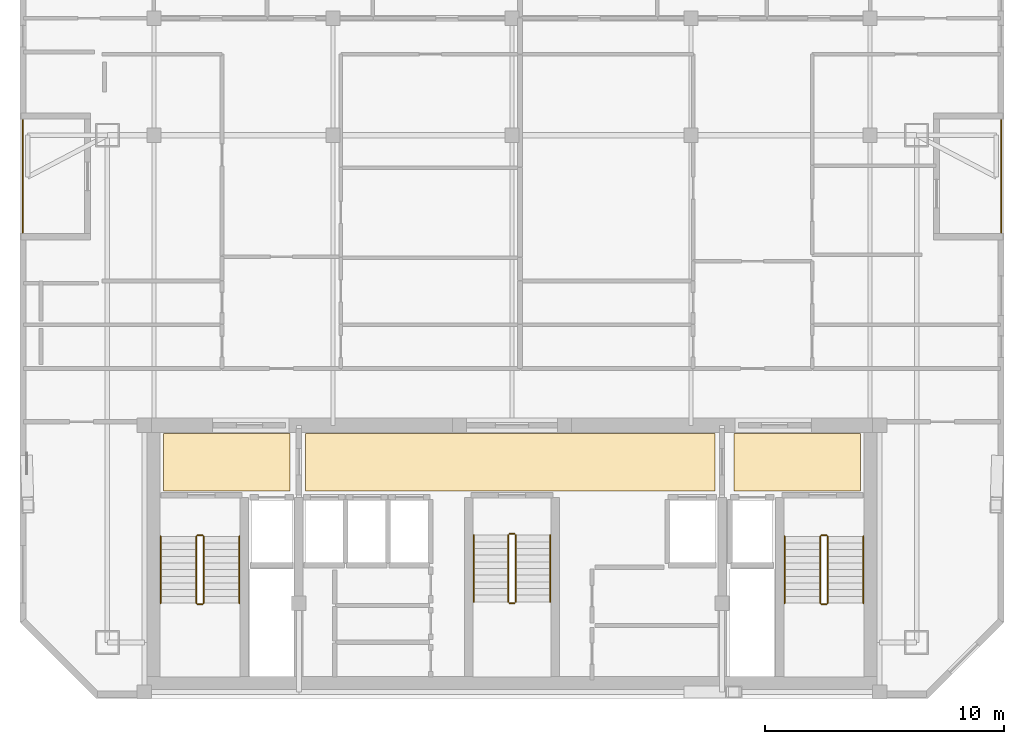
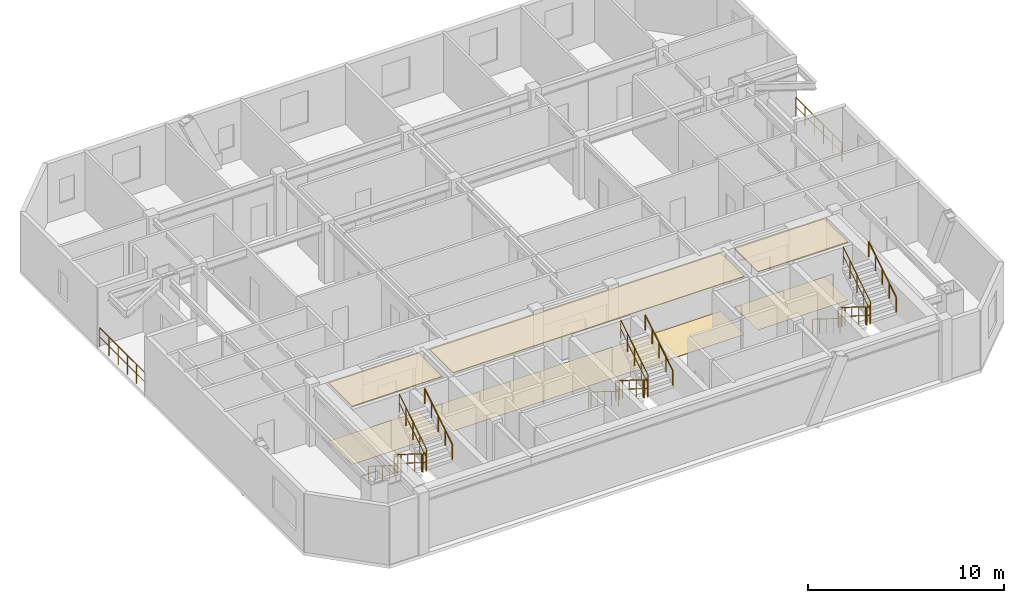
# One storey, part 7 of 7: 20 railings, 6 coverings.
"""IFC4 building model written with IfcOpenShell, lengths in metres."""

from ifc_helpers import new_model, si_unit, direction, frame, origin, origin_2d, place, context, subcontext, project, spatial, polyline, circle, outline, extrude, material, layer, layer_set, type_object, element, save


model = new_model("IFC4")

# Units and contexts
model_context = context("Model", 3, precision=1e-05, world=origin(), true_north=direction((0.0, 1.0)))
body_context = subcontext(model_context, "Body", "Model", "MODEL_VIEW")
ifc_project = project(units=[si_unit("LENGTHUNIT", "METRE"), si_unit("AREAUNIT", "SQUARE_METRE"), si_unit("VOLUMEUNIT", "CUBIC_METRE"), si_unit("PLANEANGLEUNIT", "RADIAN"), si_unit("MASSUNIT", "GRAM", prefix="KILO")], contexts=[model_context])

# Site, building, storey
site_placement = place(None, origin())
site = spatial("IfcSite", under=ifc_project, at=site_placement, CompositionType="ELEMENT")
building_placement = place(site_placement, origin())
building = spatial("IfcBuilding", under=site, at=building_placement, Name="Ventersveld Concourse Tower", CompositionType="ELEMENT")
storey_placement = place(building_placement, frame((0.0, 0.0, 268.300048828125)))
storey = spatial("IfcBuildingStorey", under=building, at=storey_placement, Name="L66", CompositionType="ELEMENT", Elevation=268.300048828125)

# Coverings
ifc_material_1 = material(Name="Mineral-fibre acoustic ceiling tile", Category="gypsum")
ifc_layer_1 = layer(ifc_material_1, 0.0400390625)
ifc_layer_set_1 = layer_set([ifc_layer_1], Name="Mineral-fibre acoustic ceiling tile")
covering_type_1 = type_object("IfcCoveringType", Name="COV-CEIL-ACOUSTIC", PredefinedType="CEILING", material=ifc_layer_set_1)
covering_1_placement = place(storey_placement, frame((0.0, 0.0, 3.60986328125)))
element("IfcCovering", 1, at=covering_1_placement, inside=storey, type_object=covering_type_1, Name="L66 North Lift Lobby Acoustic Ceiling", PredefinedType="CEILING", context=body_context, shape_type="SweptSolid", body=[
    extrude(outline(polyline([(20.10009765625, 8.699951171875), (37.25, 8.699951171875), (37.25, 11.10009765625), (20.10009765625, 11.10009765625), (20.10009765625, 8.699951171875)])), origin(), (0.0, 0.0, 1.0), 0.0400390625),
])
covering_2_placement = place(storey_placement, frame((0.0, 0.0, 3.60986328125)))
element("IfcCovering", 2, at=covering_2_placement, inside=storey, type_object=covering_type_1, Name="L66 West Firefighting Lobby Acoustic Ceiling", PredefinedType="CEILING", context=body_context, shape_type="SweptSolid", body=[
    extrude(outline(polyline([(14.14990234375, 8.699951171875), (19.449951171875, 8.699951171875), (19.449951171875, 11.10009765625), (14.14990234375, 11.10009765625), (14.14990234375, 8.699951171875)])), origin(), (0.0, 0.0, 1.0), 0.0400390625),
])
covering_3_placement = place(storey_placement, frame((0.0, 0.0, 3.60986328125)))
element("IfcCovering", 3, at=covering_3_placement, inside=storey, type_object=covering_type_1, Name="L66 East Firefighting Lobby Acoustic Ceiling", PredefinedType="CEILING", context=body_context, shape_type="SweptSolid", body=[
    extrude(outline(polyline([(38.050048828125, 8.699951171875), (43.35009765625, 8.699951171875), (43.35009765625, 11.10009765625), (38.050048828125, 11.10009765625), (38.050048828125, 8.699951171875)])), origin(), (0.0, 0.0, 1.0), 0.0400390625),
])
ifc_material_2 = material(Name="Polished Highveld granite terrazzo", Category="masonry")
ifc_layer_2 = layer(ifc_material_2, 0.02001953125)
ifc_layer_set_2 = layer_set([ifc_layer_2], Name="Polished Highveld granite terrazzo")
covering_type_2 = type_object("IfcCoveringType", Name="COV-FLOOR-TERRAZZO", PredefinedType="FLOORING", material=ifc_layer_set_2)
covering_4_placement = place(storey_placement, origin())
element("IfcCovering", 4, at=covering_4_placement, inside=storey, type_object=covering_type_2, Name="L66 North Lift Lobby Terrazzo Flooring", PredefinedType="FLOORING", context=body_context, shape_type="SweptSolid", body=[
    extrude(outline(polyline([(20.10009765625, 8.699951171875), (37.25, 8.699951171875), (37.25, 11.10009765625), (20.10009765625, 11.10009765625), (20.10009765625, 8.699951171875)])), origin(), (0.0, 0.0, 1.0), 0.02001953125),
])
covering_5_placement = place(storey_placement, origin())
element("IfcCovering", 5, at=covering_5_placement, inside=storey, type_object=covering_type_2, Name="L66 West Firefighting Lobby Terrazzo Flooring", PredefinedType="FLOORING", context=body_context, shape_type="SweptSolid", body=[
    extrude(outline(polyline([(14.14990234375, 8.699951171875), (19.449951171875, 8.699951171875), (19.449951171875, 11.10009765625), (14.14990234375, 11.10009765625), (14.14990234375, 8.699951171875)])), origin(), (0.0, 0.0, 1.0), 0.02001953125),
])
covering_6_placement = place(storey_placement, origin())
element("IfcCovering", 6, at=covering_6_placement, inside=storey, type_object=covering_type_2, Name="L66 East Firefighting Lobby Terrazzo Flooring", PredefinedType="FLOORING", context=body_context, shape_type="SweptSolid", body=[
    extrude(outline(polyline([(38.050048828125, 8.699951171875), (43.35009765625, 8.699951171875), (43.35009765625, 11.10009765625), (38.050048828125, 11.10009765625), (38.050048828125, 8.699951171875)])), origin(), (0.0, 0.0, 1.0), 0.02001953125),
])

# Railings
ifc_material_3 = material(Name="Brushed stainless steel 316", Category="steel")
railing_type_1 = type_object("IfcRailingType", Name="GD-BAL-115", PredefinedType="GUARDRAIL", material=ifc_material_3)
railing_1_placement = place(storey_placement, frame((15.530029296875, 6.800048828125, 0.175048828125)))
element("IfcRailing", 7, at=railing_1_placement, inside=storey, type_object=railing_type_1, Name="L66 ST-01 stair guard 1", PredefinedType="GUARDRAIL", context=body_context, shape_type="SweptSolid", body=[
    extrude(circle(Radius=0.02392578125, at=origin_2d()), frame((0.0, 0.0, 1.1259765625), z_axis=(0.0, -0.848002457836, 0.529992293815), x_axis=(1.0, 0.0, 0.0)), (0.0, 0.0, 1.0), 3.302001953125),
    extrude(circle(Radius=0.01611328125, at=origin_2d()), frame((0.0, 0.0, 0.574951171875), z_axis=(0.0, -0.848002457836, 0.529992293815), x_axis=(1.0, 0.0, 0.0)), (0.0, 0.0, 1.0), 3.302001953125),
    extrude(circle(Radius=0.02099609375, at=origin_2d()), origin(), (0.0, 0.0, 1.0), 1.101806640625),
    extrude(circle(Radius=0.02099609375, at=origin_2d()), frame((0.0, -0.699951171875, 0.4375)), (0.0, 0.0, 1.0), 1.101806640625),
    extrude(circle(Radius=0.02099609375, at=origin_2d()), frame((0.0, -1.39990234375, 0.875)), (0.0, 0.0, 1.0), 1.101806640625),
    extrude(circle(Radius=0.02099609375, at=origin_2d()), frame((0.0, -2.10009765625, 1.3125)), (0.0, 0.0, 1.0), 1.101806640625),
    extrude(circle(Radius=0.02099609375, at=origin_2d()), frame((0.0, -2.800048828125, 1.75)), (0.0, 0.0, 1.0), 1.101806640625),
])
railing_2_placement = place(storey_placement, frame((15.580078125, 3.949951171875, 1.925048828125)))
element("IfcRailing", 8, at=railing_2_placement, inside=storey, type_object=railing_type_1, Name="L66 ST-01 stair guard 2", PredefinedType="GUARDRAIL", context=body_context, shape_type="SweptSolid", body=[
    extrude(circle(Radius=0.02392578125, at=origin_2d()), frame((0.0, 0.0, 1.1259765625), z_axis=(1.0, 0.0, 0.0), x_axis=(0.0, 1.0, 0.0)), (0.0, 0.0, 1.0), 0.199951171875),
    extrude(circle(Radius=0.01611328125, at=origin_2d()), frame((0.0, 0.0, 0.574951171875), z_axis=(1.0, 0.0, 0.0), x_axis=(0.0, 1.0, 0.0)), (0.0, 0.0, 1.0), 0.199951171875),
    extrude(circle(Radius=0.02099609375, at=origin_2d()), origin(), (0.0, 0.0, 1.0), 1.101806640625),
    extrude(circle(Radius=0.02099609375, at=origin_2d()), frame((0.199951171875, 0.0, 0.0)), (0.0, 0.0, 1.0), 1.101806640625),
])
railing_3_placement = place(storey_placement, frame((15.830078125, 4.0, 2.099853515625)))
element("IfcRailing", 9, at=railing_3_placement, inside=storey, type_object=railing_type_1, Name="L66 ST-01 stair guard 3", PredefinedType="GUARDRAIL", context=body_context, shape_type="SweptSolid", body=[
    extrude(circle(Radius=0.02392578125, at=origin_2d()), frame((0.0, 0.0, 1.1259765625), z_axis=(0.0, 0.848002457836, 0.529992293815), x_axis=(-1.0, 0.0, 0.0)), (0.0, 0.0, 1.0), 3.302001953125),
    extrude(circle(Radius=0.01611328125, at=origin_2d()), frame((0.0, 0.0, 0.574951171875), z_axis=(0.0, 0.848002457836, 0.529992293815), x_axis=(-1.0, 0.0, 0.0)), (0.0, 0.0, 1.0), 3.302001953125),
    extrude(circle(Radius=0.02099609375, at=origin_2d()), origin(), (0.0, 0.0, 1.0), 1.101806640625),
    extrude(circle(Radius=0.02099609375, at=origin_2d()), frame((0.0, 0.699951171875, 0.4375)), (0.0, 0.0, 1.0), 1.101806640625),
    extrude(circle(Radius=0.02099609375, at=origin_2d()), frame((0.0, 1.39990234375, 0.875)), (0.0, 0.0, 1.0), 1.101806640625),
    extrude(circle(Radius=0.02099609375, at=origin_2d()), frame((0.0, 2.10009765625, 1.3125)), (0.0, 0.0, 1.0), 1.101806640625),
    extrude(circle(Radius=0.02099609375, at=origin_2d()), frame((0.0, 2.800048828125, 1.75)), (0.0, 0.0, 1.0), 1.101806640625),
])
railing_4_placement = place(storey_placement, frame((15.580078125, 6.85009765625, 0.0)))
element("IfcRailing", 10, at=railing_4_placement, inside=storey, type_object=railing_type_1, Name="L66 ST-01 stair guard 4", PredefinedType="GUARDRAIL", context=body_context, shape_type="SweptSolid", body=[
    extrude(circle(Radius=0.02392578125, at=origin_2d()), frame((0.0, 0.0, 1.1259765625), z_axis=(1.0, 0.0, 0.0), x_axis=(0.0, 1.0, 0.0)), (0.0, 0.0, 1.0), 0.199951171875),
    extrude(circle(Radius=0.01611328125, at=origin_2d()), frame((0.0, 0.0, 0.574951171875), z_axis=(1.0, 0.0, 0.0), x_axis=(0.0, 1.0, 0.0)), (0.0, 0.0, 1.0), 0.199951171875),
    extrude(circle(Radius=0.02099609375, at=origin_2d()), origin(), (0.0, 0.0, 1.0), 1.101806640625),
    extrude(circle(Radius=0.02099609375, at=origin_2d()), frame((0.199951171875, 0.0, 0.0)), (0.0, 0.0, 1.0), 1.101806640625),
])
railing_5_placement = place(storey_placement, frame((41.669921875, 6.800048828125, 0.175048828125)))
element("IfcRailing", 11, at=railing_5_placement, inside=storey, type_object=railing_type_1, Name="L66 ST-02 stair guard 1", PredefinedType="GUARDRAIL", context=body_context, shape_type="SweptSolid", body=[
    extrude(circle(Radius=0.02392578125, at=origin_2d()), frame((0.0, 0.0, 1.1259765625), z_axis=(0.0, -0.848002457836, 0.529992293815), x_axis=(1.0, 0.0, 0.0)), (0.0, 0.0, 1.0), 3.302001953125),
    extrude(circle(Radius=0.01611328125, at=origin_2d()), frame((0.0, 0.0, 0.574951171875), z_axis=(0.0, -0.848002457836, 0.529992293815), x_axis=(1.0, 0.0, 0.0)), (0.0, 0.0, 1.0), 3.302001953125),
    extrude(circle(Radius=0.02099609375, at=origin_2d()), origin(), (0.0, 0.0, 1.0), 1.101806640625),
    extrude(circle(Radius=0.02099609375, at=origin_2d()), frame((0.0, -0.699951171875, 0.4375)), (0.0, 0.0, 1.0), 1.101806640625),
    extrude(circle(Radius=0.02099609375, at=origin_2d()), frame((0.0, -1.39990234375, 0.875)), (0.0, 0.0, 1.0), 1.101806640625),
    extrude(circle(Radius=0.02099609375, at=origin_2d()), frame((0.0, -2.10009765625, 1.3125)), (0.0, 0.0, 1.0), 1.101806640625),
    extrude(circle(Radius=0.02099609375, at=origin_2d()), frame((0.0, -2.800048828125, 1.75)), (0.0, 0.0, 1.0), 1.101806640625),
])
railing_6_placement = place(storey_placement, frame((41.719970703125, 3.949951171875, 1.925048828125)))
element("IfcRailing", 12, at=railing_6_placement, inside=storey, type_object=railing_type_1, Name="L66 ST-02 stair guard 2", PredefinedType="GUARDRAIL", context=body_context, shape_type="SweptSolid", body=[
    extrude(circle(Radius=0.02392578125, at=origin_2d()), frame((0.0, 0.0, 1.1259765625), z_axis=(1.0, 0.0, 0.0), x_axis=(0.0, 1.0, 0.0)), (0.0, 0.0, 1.0), 0.199951171875),
    extrude(circle(Radius=0.01611328125, at=origin_2d()), frame((0.0, 0.0, 0.574951171875), z_axis=(1.0, 0.0, 0.0), x_axis=(0.0, 1.0, 0.0)), (0.0, 0.0, 1.0), 0.199951171875),
    extrude(circle(Radius=0.02099609375, at=origin_2d()), origin(), (0.0, 0.0, 1.0), 1.101806640625),
    extrude(circle(Radius=0.02099609375, at=origin_2d()), frame((0.199951171875, 0.0, 0.0)), (0.0, 0.0, 1.0), 1.101806640625),
])
railing_7_placement = place(storey_placement, frame((41.969970703125, 4.0, 2.099853515625)))
element("IfcRailing", 13, at=railing_7_placement, inside=storey, type_object=railing_type_1, Name="L66 ST-02 stair guard 3", PredefinedType="GUARDRAIL", context=body_context, shape_type="SweptSolid", body=[
    extrude(circle(Radius=0.02392578125, at=origin_2d()), frame((0.0, 0.0, 1.1259765625), z_axis=(0.0, 0.848002457836, 0.529992293815), x_axis=(-1.0, 0.0, 0.0)), (0.0, 0.0, 1.0), 3.302001953125),
    extrude(circle(Radius=0.01611328125, at=origin_2d()), frame((0.0, 0.0, 0.574951171875), z_axis=(0.0, 0.848002457836, 0.529992293815), x_axis=(-1.0, 0.0, 0.0)), (0.0, 0.0, 1.0), 3.302001953125),
    extrude(circle(Radius=0.02099609375, at=origin_2d()), origin(), (0.0, 0.0, 1.0), 1.101806640625),
    extrude(circle(Radius=0.02099609375, at=origin_2d()), frame((0.0, 0.699951171875, 0.4375)), (0.0, 0.0, 1.0), 1.101806640625),
    extrude(circle(Radius=0.02099609375, at=origin_2d()), frame((0.0, 1.39990234375, 0.875)), (0.0, 0.0, 1.0), 1.101806640625),
    extrude(circle(Radius=0.02099609375, at=origin_2d()), frame((0.0, 2.10009765625, 1.3125)), (0.0, 0.0, 1.0), 1.101806640625),
    extrude(circle(Radius=0.02099609375, at=origin_2d()), frame((0.0, 2.800048828125, 1.75)), (0.0, 0.0, 1.0), 1.101806640625),
])
railing_8_placement = place(storey_placement, frame((41.719970703125, 6.85009765625, 0.0)))
element("IfcRailing", 14, at=railing_8_placement, inside=storey, type_object=railing_type_1, Name="L66 ST-02 stair guard 4", PredefinedType="GUARDRAIL", context=body_context, shape_type="SweptSolid", body=[
    extrude(circle(Radius=0.02392578125, at=origin_2d()), frame((0.0, 0.0, 1.1259765625), z_axis=(1.0, 0.0, 0.0), x_axis=(0.0, 1.0, 0.0)), (0.0, 0.0, 1.0), 0.199951171875),
    extrude(circle(Radius=0.01611328125, at=origin_2d()), frame((0.0, 0.0, 0.574951171875), z_axis=(1.0, 0.0, 0.0), x_axis=(0.0, 1.0, 0.0)), (0.0, 0.0, 1.0), 0.199951171875),
    extrude(circle(Radius=0.02099609375, at=origin_2d()), origin(), (0.0, 0.0, 1.0), 1.101806640625),
    extrude(circle(Radius=0.02099609375, at=origin_2d()), frame((0.199951171875, 0.0, 0.0)), (0.0, 0.0, 1.0), 1.101806640625),
])
railing_9_placement = place(storey_placement, frame((28.60009765625, 6.85009765625, 0.175048828125)))
element("IfcRailing", 15, at=railing_9_placement, inside=storey, type_object=railing_type_1, Name="L66 ST-03 stair guard 1", PredefinedType="GUARDRAIL", context=body_context, shape_type="SweptSolid", body=[
    extrude(circle(Radius=0.02392578125, at=origin_2d()), frame((0.0, 0.0, 1.1259765625), z_axis=(0.0, -0.848002457836, 0.529992293815), x_axis=(1.0, 0.0, 0.0)), (0.0, 0.0, 1.0), 3.302001953125),
    extrude(circle(Radius=0.01611328125, at=origin_2d()), frame((0.0, 0.0, 0.574951171875), z_axis=(0.0, -0.848002457836, 0.529992293815), x_axis=(1.0, 0.0, 0.0)), (0.0, 0.0, 1.0), 3.302001953125),
    extrude(circle(Radius=0.02099609375, at=origin_2d()), origin(), (0.0, 0.0, 1.0), 1.101806640625),
    extrude(circle(Radius=0.02099609375, at=origin_2d()), frame((0.0, -0.699951171875, 0.4375)), (0.0, 0.0, 1.0), 1.101806640625),
    extrude(circle(Radius=0.02099609375, at=origin_2d()), frame((0.0, -1.39990234375, 0.875)), (0.0, 0.0, 1.0), 1.101806640625),
    extrude(circle(Radius=0.02099609375, at=origin_2d()), frame((0.0, -2.10009765625, 1.3125)), (0.0, 0.0, 1.0), 1.101806640625),
    extrude(circle(Radius=0.02099609375, at=origin_2d()), frame((0.0, -2.800048828125, 1.75)), (0.0, 0.0, 1.0), 1.101806640625),
])
railing_10_placement = place(storey_placement, frame((28.64990234375, 4.0, 1.925048828125)))
element("IfcRailing", 16, at=railing_10_placement, inside=storey, type_object=railing_type_1, Name="L66 ST-03 stair guard 2", PredefinedType="GUARDRAIL", context=body_context, shape_type="SweptSolid", body=[
    extrude(circle(Radius=0.02392578125, at=origin_2d()), frame((0.0, 0.0, 1.1259765625), z_axis=(1.0, 0.0, 0.0), x_axis=(0.0, 1.0, 0.0)), (0.0, 0.0, 1.0), 0.2001953125),
    extrude(circle(Radius=0.01611328125, at=origin_2d()), frame((0.0, 0.0, 0.574951171875), z_axis=(1.0, 0.0, 0.0), x_axis=(0.0, 1.0, 0.0)), (0.0, 0.0, 1.0), 0.2001953125),
    extrude(circle(Radius=0.02099609375, at=origin_2d()), origin(), (0.0, 0.0, 1.0), 1.101806640625),
    extrude(circle(Radius=0.02099609375, at=origin_2d()), frame((0.2001953125, 0.0, 0.0)), (0.0, 0.0, 1.0), 1.101806640625),
])
railing_11_placement = place(storey_placement, frame((28.89990234375, 4.050048828125, 2.099853515625)))
element("IfcRailing", 17, at=railing_11_placement, inside=storey, type_object=railing_type_1, Name="L66 ST-03 stair guard 3", PredefinedType="GUARDRAIL", context=body_context, shape_type="SweptSolid", body=[
    extrude(circle(Radius=0.02392578125, at=origin_2d()), frame((0.0, 0.0, 1.1259765625), z_axis=(0.0, 0.848002457836, 0.529992293815), x_axis=(-1.0, 0.0, 0.0)), (0.0, 0.0, 1.0), 3.302001953125),
    extrude(circle(Radius=0.01611328125, at=origin_2d()), frame((0.0, 0.0, 0.574951171875), z_axis=(0.0, 0.848002457836, 0.529992293815), x_axis=(-1.0, 0.0, 0.0)), (0.0, 0.0, 1.0), 3.302001953125),
    extrude(circle(Radius=0.02099609375, at=origin_2d()), origin(), (0.0, 0.0, 1.0), 1.101806640625),
    extrude(circle(Radius=0.02099609375, at=origin_2d()), frame((0.0, 0.699951171875, 0.4375)), (0.0, 0.0, 1.0), 1.101806640625),
    extrude(circle(Radius=0.02099609375, at=origin_2d()), frame((0.0, 1.39990234375, 0.875)), (0.0, 0.0, 1.0), 1.101806640625),
    extrude(circle(Radius=0.02099609375, at=origin_2d()), frame((0.0, 2.10009765625, 1.3125)), (0.0, 0.0, 1.0), 1.101806640625),
    extrude(circle(Radius=0.02099609375, at=origin_2d()), frame((0.0, 2.800048828125, 1.75)), (0.0, 0.0, 1.0), 1.101806640625),
])
railing_12_placement = place(storey_placement, frame((28.64990234375, 6.89990234375, 0.0)))
element("IfcRailing", 18, at=railing_12_placement, inside=storey, type_object=railing_type_1, Name="L66 ST-03 stair guard 4", PredefinedType="GUARDRAIL", context=body_context, shape_type="SweptSolid", body=[
    extrude(circle(Radius=0.02392578125, at=origin_2d()), frame((0.0, 0.0, 1.1259765625), z_axis=(1.0, 0.0, 0.0), x_axis=(0.0, 1.0, 0.0)), (0.0, 0.0, 1.0), 0.2001953125),
    extrude(circle(Radius=0.01611328125, at=origin_2d()), frame((0.0, 0.0, 0.574951171875), z_axis=(1.0, 0.0, 0.0), x_axis=(0.0, 1.0, 0.0)), (0.0, 0.0, 1.0), 0.2001953125),
    extrude(circle(Radius=0.02099609375, at=origin_2d()), origin(), (0.0, 0.0, 1.0), 1.101806640625),
    extrude(circle(Radius=0.02099609375, at=origin_2d()), frame((0.2001953125, 0.0, 0.0)), (0.0, 0.0, 1.0), 1.101806640625),
])
railing_type_2 = type_object("IfcRailingType", Name="GD-TER-120", PredefinedType="GUARDRAIL", material=ifc_material_3)
for number, where, name in (
    (19, (8.259765625, 19.524658203125, 0.0), "L66 Outdoor Terrace Guardrail NOTCH-W"),
    (20, (49.240234375, 19.524658203125, 0.0), "L66 Outdoor Terrace Guardrail NOTCH-E"),
):
    element("IfcRailing", number, at=place(storey_placement, frame(where)), inside=storey, type_object=railing_type_2, Name=name, PredefinedType="GUARDRAIL", context=body_context, shape_type="SweptSolid", body=[
        extrude(circle(Radius=0.02392578125, at=origin_2d()), frame((0.0, 0.0, 1.17578125), z_axis=(0.0, 1.0, 0.0), x_axis=(-1.0, 0.0, 0.0)), (0.0, 0.0, 1.0), 4.699951171875),
        extrude(circle(Radius=0.01611328125, at=origin_2d()), frame((0.0, 0.0, 0.60009765625), z_axis=(0.0, 1.0, 0.0), x_axis=(-1.0, 0.0, 0.0)), (0.0, 0.0, 1.0), 4.699951171875),
        extrude(circle(Radius=0.02099609375, at=origin_2d()), origin(), (0.0, 0.0, 1.0), 1.15185546875),
        extrude(circle(Radius=0.02099609375, at=origin_2d()), frame((0.0, 0.93994140625, 0.0)), (0.0, 0.0, 1.0), 1.15185546875),
        extrude(circle(Radius=0.02099609375, at=origin_2d()), frame((0.0, 1.8798828125, 0.0)), (0.0, 0.0, 1.0), 1.15185546875),
        extrude(circle(Radius=0.02099609375, at=origin_2d()), frame((0.0, 2.820068359375, 0.0)), (0.0, 0.0, 1.0), 1.15185546875),
        extrude(circle(Radius=0.02099609375, at=origin_2d()), frame((0.0, 3.760009765625, 0.0)), (0.0, 0.0, 1.0), 1.15185546875),
        extrude(circle(Radius=0.02099609375, at=origin_2d()), frame((0.0, 4.699951171875, 0.0)), (0.0, 0.0, 1.0), 1.15185546875),
    ])
railing_type_3 = type_object("IfcRailingType", Name="HR-RMP-095", PredefinedType="HANDRAIL", material=ifc_material_3)
railing_13_placement = place(storey_placement, frame((14.030029296875, 6.800048828125, 0.175048828125)))
element("IfcRailing", 21, at=railing_13_placement, inside=storey, type_object=railing_type_3, Name="L66 ST-01 stair handrail 1", PredefinedType="HANDRAIL", context=body_context, shape_type="SweptSolid", body=[
    extrude(circle(Radius=0.02392578125, at=origin_2d()), frame((0.0, 0.0, 0.92578125), z_axis=(0.0, -0.848002457836, 0.529992293815), x_axis=(1.0, 0.0, 0.0)), (0.0, 0.0, 1.0), 3.302001953125),
    extrude(circle(Radius=0.02099609375, at=origin_2d()), origin(), (0.0, 0.0, 1.0), 0.90185546875),
    extrude(circle(Radius=0.02099609375, at=origin_2d()), frame((0.0, -0.699951171875, 0.4375)), (0.0, 0.0, 1.0), 0.90185546875),
    extrude(circle(Radius=0.02099609375, at=origin_2d()), frame((0.0, -1.39990234375, 0.875)), (0.0, 0.0, 1.0), 0.90185546875),
    extrude(circle(Radius=0.02099609375, at=origin_2d()), frame((0.0, -2.10009765625, 1.3125)), (0.0, 0.0, 1.0), 0.90185546875),
    extrude(circle(Radius=0.02099609375, at=origin_2d()), frame((0.0, -2.800048828125, 1.75)), (0.0, 0.0, 1.0), 0.90185546875),
])
railing_14_placement = place(storey_placement, frame((17.330078125, 4.0, 2.099853515625)))
element("IfcRailing", 22, at=railing_14_placement, inside=storey, type_object=railing_type_3, Name="L66 ST-01 stair handrail 2", PredefinedType="HANDRAIL", context=body_context, shape_type="SweptSolid", body=[
    extrude(circle(Radius=0.02392578125, at=origin_2d()), frame((0.0, 0.0, 0.92578125), z_axis=(0.0, 0.848002457836, 0.529992293815), x_axis=(-1.0, 0.0, 0.0)), (0.0, 0.0, 1.0), 3.302001953125),
    extrude(circle(Radius=0.02099609375, at=origin_2d()), origin(), (0.0, 0.0, 1.0), 0.90185546875),
    extrude(circle(Radius=0.02099609375, at=origin_2d()), frame((0.0, 0.699951171875, 0.4375)), (0.0, 0.0, 1.0), 0.90185546875),
    extrude(circle(Radius=0.02099609375, at=origin_2d()), frame((0.0, 1.39990234375, 0.875)), (0.0, 0.0, 1.0), 0.90185546875),
    extrude(circle(Radius=0.02099609375, at=origin_2d()), frame((0.0, 2.10009765625, 1.3125)), (0.0, 0.0, 1.0), 0.90185546875),
    extrude(circle(Radius=0.02099609375, at=origin_2d()), frame((0.0, 2.800048828125, 1.75)), (0.0, 0.0, 1.0), 0.90185546875),
])
railing_15_placement = place(storey_placement, frame((40.169921875, 6.800048828125, 0.175048828125)))
element("IfcRailing", 23, at=railing_15_placement, inside=storey, type_object=railing_type_3, Name="L66 ST-02 stair handrail 1", PredefinedType="HANDRAIL", context=body_context, shape_type="SweptSolid", body=[
    extrude(circle(Radius=0.02392578125, at=origin_2d()), frame((0.0, 0.0, 0.92578125), z_axis=(0.0, -0.848002457836, 0.529992293815), x_axis=(1.0, 0.0, 0.0)), (0.0, 0.0, 1.0), 3.302001953125),
    extrude(circle(Radius=0.02099609375, at=origin_2d()), origin(), (0.0, 0.0, 1.0), 0.90185546875),
    extrude(circle(Radius=0.02099609375, at=origin_2d()), frame((0.0, -0.699951171875, 0.4375)), (0.0, 0.0, 1.0), 0.90185546875),
    extrude(circle(Radius=0.02099609375, at=origin_2d()), frame((0.0, -1.39990234375, 0.875)), (0.0, 0.0, 1.0), 0.90185546875),
    extrude(circle(Radius=0.02099609375, at=origin_2d()), frame((0.0, -2.10009765625, 1.3125)), (0.0, 0.0, 1.0), 0.90185546875),
    extrude(circle(Radius=0.02099609375, at=origin_2d()), frame((0.0, -2.800048828125, 1.75)), (0.0, 0.0, 1.0), 0.90185546875),
])
railing_16_placement = place(storey_placement, frame((43.469970703125, 4.0, 2.099853515625)))
element("IfcRailing", 24, at=railing_16_placement, inside=storey, type_object=railing_type_3, Name="L66 ST-02 stair handrail 2", PredefinedType="HANDRAIL", context=body_context, shape_type="SweptSolid", body=[
    extrude(circle(Radius=0.02392578125, at=origin_2d()), frame((0.0, 0.0, 0.92578125), z_axis=(0.0, 0.848002457836, 0.529992293815), x_axis=(-1.0, 0.0, 0.0)), (0.0, 0.0, 1.0), 3.302001953125),
    extrude(circle(Radius=0.02099609375, at=origin_2d()), origin(), (0.0, 0.0, 1.0), 0.90185546875),
    extrude(circle(Radius=0.02099609375, at=origin_2d()), frame((0.0, 0.699951171875, 0.4375)), (0.0, 0.0, 1.0), 0.90185546875),
    extrude(circle(Radius=0.02099609375, at=origin_2d()), frame((0.0, 1.39990234375, 0.875)), (0.0, 0.0, 1.0), 0.90185546875),
    extrude(circle(Radius=0.02099609375, at=origin_2d()), frame((0.0, 2.10009765625, 1.3125)), (0.0, 0.0, 1.0), 0.90185546875),
    extrude(circle(Radius=0.02099609375, at=origin_2d()), frame((0.0, 2.800048828125, 1.75)), (0.0, 0.0, 1.0), 0.90185546875),
])
railing_17_placement = place(storey_placement, frame((27.14990234375, 6.85009765625, 0.175048828125)))
element("IfcRailing", 25, at=railing_17_placement, inside=storey, type_object=railing_type_3, Name="L66 ST-03 stair handrail 1", PredefinedType="HANDRAIL", context=body_context, shape_type="SweptSolid", body=[
    extrude(circle(Radius=0.02392578125, at=origin_2d()), frame((0.0, 0.0, 0.92578125), z_axis=(0.0, -0.848002457836, 0.529992293815), x_axis=(1.0, 0.0, 0.0)), (0.0, 0.0, 1.0), 3.302001953125),
    extrude(circle(Radius=0.02099609375, at=origin_2d()), origin(), (0.0, 0.0, 1.0), 0.90185546875),
    extrude(circle(Radius=0.02099609375, at=origin_2d()), frame((0.0, -0.699951171875, 0.4375)), (0.0, 0.0, 1.0), 0.90185546875),
    extrude(circle(Radius=0.02099609375, at=origin_2d()), frame((0.0, -1.39990234375, 0.875)), (0.0, 0.0, 1.0), 0.90185546875),
    extrude(circle(Radius=0.02099609375, at=origin_2d()), frame((0.0, -2.10009765625, 1.3125)), (0.0, 0.0, 1.0), 0.90185546875),
    extrude(circle(Radius=0.02099609375, at=origin_2d()), frame((0.0, -2.800048828125, 1.75)), (0.0, 0.0, 1.0), 0.90185546875),
])
railing_18_placement = place(storey_placement, frame((30.35009765625, 4.050048828125, 2.099853515625)))
element("IfcRailing", 26, at=railing_18_placement, inside=storey, type_object=railing_type_3, Name="L66 ST-03 stair handrail 2", PredefinedType="HANDRAIL", context=body_context, shape_type="SweptSolid", body=[
    extrude(circle(Radius=0.02392578125, at=origin_2d()), frame((0.0, 0.0, 0.92578125), z_axis=(0.0, 0.848002457836, 0.529992293815), x_axis=(-1.0, 0.0, 0.0)), (0.0, 0.0, 1.0), 3.302001953125),
    extrude(circle(Radius=0.02099609375, at=origin_2d()), origin(), (0.0, 0.0, 1.0), 0.90185546875),
    extrude(circle(Radius=0.02099609375, at=origin_2d()), frame((0.0, 0.699951171875, 0.4375)), (0.0, 0.0, 1.0), 0.90185546875),
    extrude(circle(Radius=0.02099609375, at=origin_2d()), frame((0.0, 1.39990234375, 0.875)), (0.0, 0.0, 1.0), 0.90185546875),
    extrude(circle(Radius=0.02099609375, at=origin_2d()), frame((0.0, 2.10009765625, 1.3125)), (0.0, 0.0, 1.0), 0.90185546875),
    extrude(circle(Radius=0.02099609375, at=origin_2d()), frame((0.0, 2.800048828125, 1.75)), (0.0, 0.0, 1.0), 0.90185546875),
])

save(model, "model.ifc")
